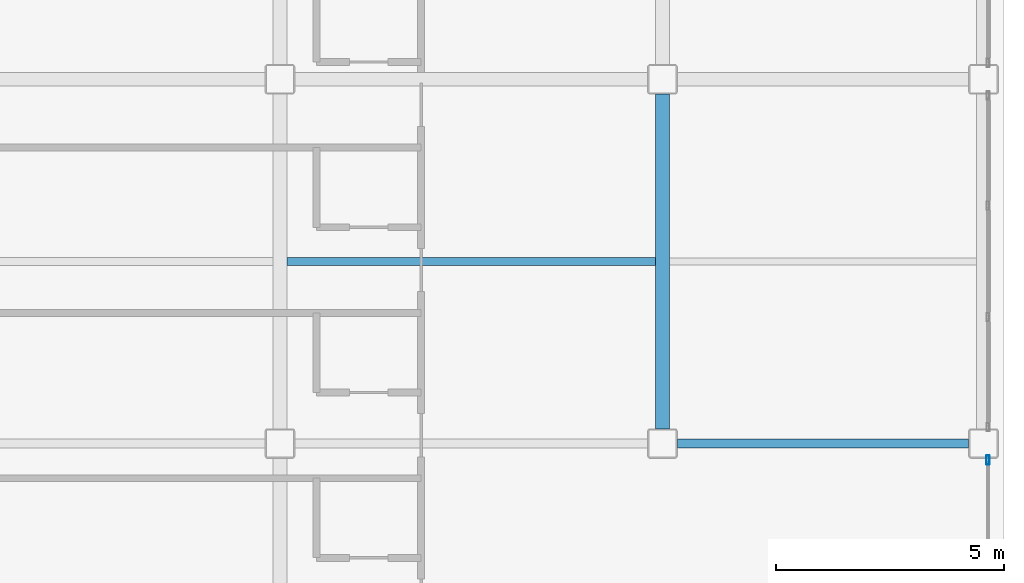
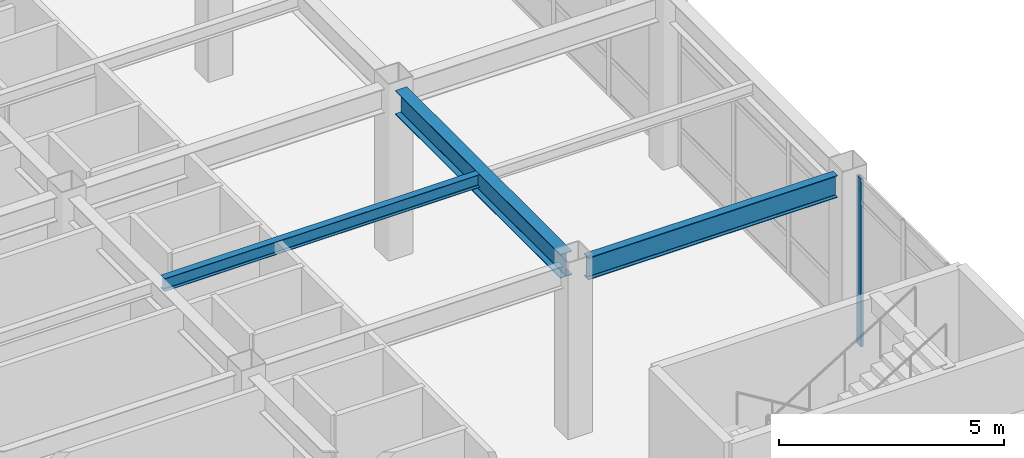
# One storey, part 32 of 61: 3 beams, 1 member, 1 element without a shape of its own.
"""IFC4 building model written with IfcOpenShell, lengths in metres."""

from ifc_helpers import new_model, si_unit, direction, frame, origin, origin_2d, place, context, subcontext, project, spatial, hollow_rectangle, i_section, extrude, material, layer, layer_set, material_profile, profile_set, type_object, element, aggregate, save


model = new_model("IFC4")

# Units and contexts
model_context = context("Model", 3, precision=1e-05, world=origin(), true_north=direction((0.0, 1.0)))
body_context = subcontext(model_context, "Body", "Model", "MODEL_VIEW")
ifc_project = project(units=[si_unit("LENGTHUNIT", "METRE"), si_unit("AREAUNIT", "SQUARE_METRE"), si_unit("VOLUMEUNIT", "CUBIC_METRE"), si_unit("PLANEANGLEUNIT", "RADIAN"), si_unit("MASSUNIT", "GRAM", prefix="KILO")], contexts=[model_context])

# Site, building, storey
site_placement = place(None, origin())
site = spatial("IfcSite", under=ifc_project, at=site_placement, CompositionType="ELEMENT")
building_placement = place(site_placement, origin())
building = spatial("IfcBuilding", under=site, at=building_placement, Name="Kazehara Bluff Congress Hotel", CompositionType="ELEMENT")
storey_placement = place(building_placement, frame((0.0, 0.0, 19.800048828125)))
storey = spatial("IfcBuildingStorey", under=building, at=storey_placement, Name="L04", CompositionType="ELEMENT", Elevation=19.800048828125)

# Curtain wall, member
ifc_material_1 = material(Name="Anodised aluminium", Category="aluminium")
ifc_layer = layer(ifc_material_1, 0.159912109375)
ifc_layer_set = layer_set([ifc_layer], Name="Anodised aluminium")
curtain_wall_type = type_object("IfcCurtainWallType", Name="TP-CW-161", PredefinedType="NOTDEFINED", material=ifc_layer_set)
curtain_wall_placement = place(storey_placement, origin())
curtain_wall = element("IfcCurtainWall", 1, at=curtain_wall_placement, inside=storey, type_object=curtain_wall_type, Name="L04 curtain wall CW-161 CW-ENC-V5-L04-16765-7857", PredefinedType="NOTDEFINED")
ifc_material_2 = material(Name="Anodised aluminium", Category="aluminium")
ifc_material_profile_1 = material_profile(ifc_material_2, hollow_rectangle(XDim=0.070068359375, YDim=0.199951171875, WallThickness=0.0048828125, InnerFilletRadius=0.0048828125, OuterFilletRadius=0.010009765625, at=origin_2d()))
ifc_profile_set_1 = profile_set([ifc_material_profile_1], Name="Anodised aluminium")
member_type = type_object("IfcMemberType", Name="TP-CWM-03", PredefinedType="MULLION", material=ifc_profile_set_1)
member_placement = place(storey_placement, frame((167.64990234375, 80.5400390625, 0.0), z_axis=(0.0, 0.0, 1.0), x_axis=(1.0, 0.0, 0.0)))
member = element("IfcMember", 2, at=member_placement, type_object=member_type, Name="CW-161 mullion 1", PredefinedType="MULLION", context=body_context, shape_type="SweptSolid", body=[
    extrude(hollow_rectangle(XDim=0.070068359375, YDim=0.199951171875, WallThickness=0.0048828125, InnerFilletRadius=0.0048828125, OuterFilletRadius=0.010009765625, at=origin_2d()), origin(), (0.0, 0.0, 1.0), 4.56494140625),
])
aggregate(curtain_wall, [member])

# Beams
ifc_material_3 = material(Name="Steel SN490B", Category="steel")
ifc_material_profile_2 = material_profile(ifc_material_3, i_section(OverallWidth=0.300048828125, OverallDepth=0.64990234375, WebThickness=0.011962890625, FlangeThickness=0.02001953125, FilletRadius=0.012939453125, at=origin_2d()))
ifc_profile_set_2 = profile_set([ifc_material_profile_2], Name="Steel SN490B")
beam_type_1 = type_object("IfcBeamType", Name="TP-G-03", PredefinedType="BEAM", material=ifc_profile_set_2)
beam_1_placement = place(storey_placement, frame((160.5, 81.22509765625, 4.2548828125), z_axis=(0.0, 1.0, 0.0), x_axis=(-1.0, 0.0, 0.0)))
element("IfcBeam", 3, at=beam_1_placement, inside=storey, type_object=beam_type_1, Name="L04 girder G-03 63", PredefinedType="BEAM", context=body_context, shape_type="SweptSolid", body=[
    extrude(i_section(OverallWidth=0.300048828125, OverallDepth=0.64990234375, WebThickness=0.011962890625, FlangeThickness=0.02001953125, FilletRadius=0.012939453125, at=origin_2d()), origin(), (0.0, 0.0, 1.0), 7.349853515625),
])
ifc_material_4 = material(Name="Steel SN400B", Category="steel")
ifc_material_profile_3 = material_profile(ifc_material_4, i_section(OverallWidth=0.175048828125, OverallDepth=0.35009765625, WebThickness=0.007080078125, FlangeThickness=0.010986328125, FilletRadius=0.012939453125, at=origin_2d()))
ifc_profile_set_3 = profile_set([ifc_material_profile_3], Name="Steel SN400B")
beam_type_2 = type_object("IfcBeamType", Name="TP-J-02", PredefinedType="JOIST", material=ifc_profile_set_3)
beam_2_placement = place(storey_placement, frame((152.25, 84.89990234375, 4.405029296875), z_axis=(1.0, 0.0, 0.0), x_axis=(0.0, 1.0, 0.0)))
element("IfcBeam", 4, at=beam_2_placement, inside=storey, type_object=beam_type_2, Name="L04 secondary joist J-02 25", PredefinedType="JOIST", context=body_context, shape_type="SweptSolid", body=[
    extrude(i_section(OverallWidth=0.175048828125, OverallDepth=0.35009765625, WebThickness=0.007080078125, FlangeThickness=0.010986328125, FilletRadius=0.012939453125, at=origin_2d()), origin(), (0.0, 0.0, 1.0), 8.10009765625),
])
ifc_material_5 = material(Name="Steel SN490B", Category="steel")
ifc_material_profile_4 = material_profile(ifc_material_5, i_section(OverallWidth=0.199951171875, OverallDepth=0.60009765625, WebThickness=0.010986328125, FlangeThickness=0.01708984375, FilletRadius=0.012939453125, at=origin_2d()))
ifc_profile_set_4 = profile_set([ifc_material_profile_4], Name="Steel SN490B")
beam_type_3 = type_object("IfcBeamType", Name="TP-SP-02", PredefinedType="SPANDREL", material=ifc_profile_set_4)
beam_3_placement = place(storey_placement, frame((160.824951171875, 80.89990234375, 4.280029296875), z_axis=(1.0, 0.0, 0.0), x_axis=(0.0, 1.0, 0.0)))
element("IfcBeam", 5, at=beam_3_placement, inside=storey, type_object=beam_type_3, Name="L04 girder SP-02 106", PredefinedType="SPANDREL", context=body_context, shape_type="SweptSolid", body=[
    extrude(i_section(OverallWidth=0.199951171875, OverallDepth=0.60009765625, WebThickness=0.010986328125, FlangeThickness=0.01708984375, FilletRadius=0.012939453125, at=origin_2d()), origin(), (0.0, 0.0, 1.0), 6.400146484375),
])

save(model, "model.ifc")
